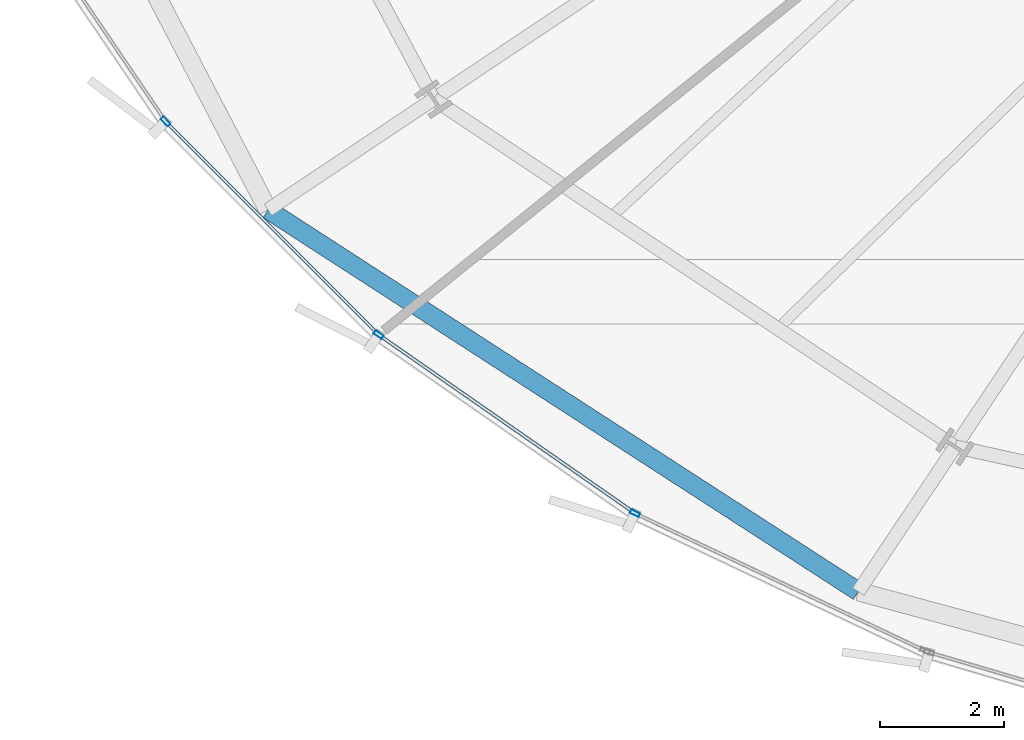
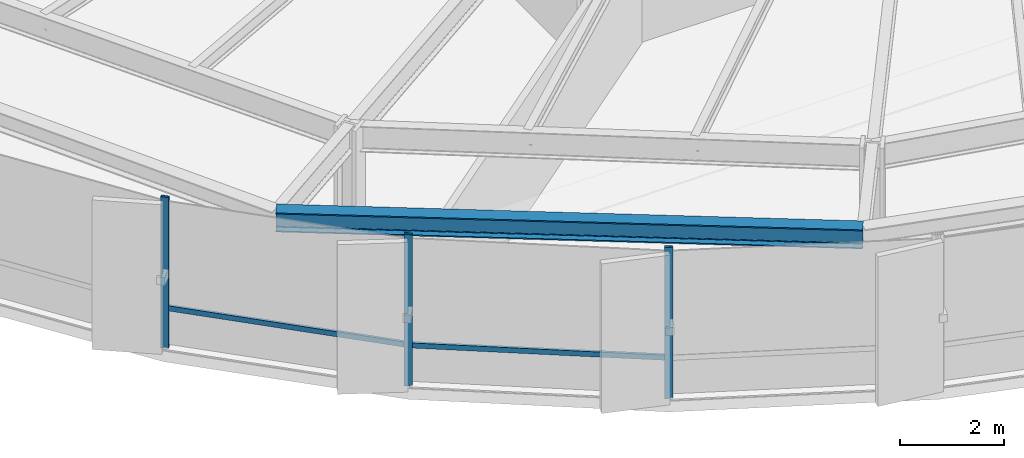
# One storey, part 2 of 37: 5 members, 1 beam, 1 element without a shape of its own.
"""IFC4 building model written with IfcOpenShell, lengths in metres."""

import ifcopenshell
import ifcopenshell.guid

model = None  # the IFC model being written
_history = None  # IfcOwnerHistory: only IFC2X3 demands one
_inside = {}  # id of a spatial element -> (the spatial element, [elements in it])
_under = {}  # id of a project, library or spatial element -> (it, [spatial elements below it])
_declared = {}  # id of a project -> (the project, [libraries it declares])
_typed = {}  # id of a type object -> (the type object, [elements of that type])
_made_of = {}  # id of a material, layer set ... -> (it, [elements and type objects made of it])


def new_model(schema):
    """Start an empty IFC model of exactly this schema.

    Asked for "IFC4X3", IfcOpenShell would pick the latest addendum, in which some entities
    have other attributes; the version numbers below select the first issue.
    IFC2X3 requires an IfcOwnerHistory on every rooted entity: one is made here for all.
    """
    global model, _history
    if schema == "IFC4X3":
        model = ifcopenshell.file(schema_version=(4, 3, 0, 0))
    else:
        model = ifcopenshell.file(schema=schema)
    _inside.clear()
    _under.clear()
    _declared.clear()
    _typed.clear()
    _made_of.clear()
    _history = None
    if model.schema == "IFC2X3":
        org = make("IfcOrganization", Name="unknown")
        user = make(
            "IfcPersonAndOrganization",
            ThePerson=make("IfcPerson", FamilyName="unknown"),
            TheOrganization=org,
        )
        app = make(
            "IfcApplication",
            ApplicationDeveloper=org,
            Version="unknown",
            ApplicationFullName="unknown",
            ApplicationIdentifier="unknown",
        )
        _history = make(
            "IfcOwnerHistory",
            OwningUser=user,
            OwningApplication=app,
            ChangeAction="ADDED",
            CreationDate=0,
        )
    return model


def make(cls, **values):
    """One entity of the class cls with the attributes given. An attribute that is None is left unset."""
    return model.create_entity(
        cls, **{name: value for name, value in values.items() if value is not None}
    )


def rooted(cls, **values):
    """An entity with a GlobalId (a new one), such as an element, a storey or a relation."""
    return make(cls, GlobalId=ifcopenshell.guid.new(), OwnerHistory=_history, **values)


def si_unit(unit_type, name, prefix=None):
    """IfcSIUnit, for example si_unit("LENGTHUNIT", "METRE", prefix="MILLI")."""
    return make("IfcSIUnit", UnitType=unit_type, Prefix=prefix, Name=name)


def assignment(units):
    """IfcUnitAssignment: the units of a project."""
    return None if units is None else make("IfcUnitAssignment", Units=units)


def point(xyz):
    """IfcCartesianPoint."""
    return None if xyz is None else make("IfcCartesianPoint", Coordinates=xyz)


def direction(xyz):
    """IfcDirection."""
    return None if xyz is None else make("IfcDirection", DirectionRatios=xyz)


def frame(location, z_axis=None, x_axis=None):
    """IfcAxis2Placement3D, a coordinate frame: its origin and axes. An axis left out is left unset."""
    return make(
        "IfcAxis2Placement3D",
        Location=point(location),
        Axis=direction(z_axis),
        RefDirection=direction(x_axis),
    )


def frame_2d(location, x_axis=None):
    """IfcAxis2Placement2D, a coordinate frame in the plane: its origin and x axis."""
    return make(
        "IfcAxis2Placement2D", Location=point(location), RefDirection=direction(x_axis)
    )


def origin():
    """The frame at (0, 0, 0) with its axes left unset."""
    return frame((0.0, 0.0, 0.0))


def origin_2d():
    """The frame at (0, 0) in the plane with its x axis left unset."""
    return frame_2d((0.0, 0.0))


def place(relative_to, where):
    """IfcLocalPlacement: puts the frame where relative to a parent placement (None: the world)."""
    return make(
        "IfcLocalPlacement", PlacementRelTo=relative_to, RelativePlacement=where
    )


def context(
    kind, dimensions, precision=None, world=None, true_north=None, identifier=None
):
    """IfcGeometricRepresentationContext, for example the 3D "Model" context."""
    return make(
        "IfcGeometricRepresentationContext",
        ContextIdentifier=identifier,
        ContextType=kind,
        CoordinateSpaceDimension=dimensions,
        Precision=precision,
        WorldCoordinateSystem=world,
        TrueNorth=true_north,
    )


def subcontext(parent, identifier, kind, view, scale=None):
    """IfcGeometricRepresentationSubContext, for example "Body" below "Model"."""
    return make(
        "IfcGeometricRepresentationSubContext",
        ContextIdentifier=identifier,
        ContextType=kind,
        ParentContext=parent,
        TargetScale=scale,
        TargetView=view,
    )


def project(units=None, contexts=None):
    """IfcProject with its units and contexts."""
    return rooted(
        "IfcProject",
        Name="project",
        RepresentationContexts=contexts,
        UnitsInContext=assignment(units),
    )


def spatial(cls, under=None, at=None, **own):
    """A site, building, storey or space (cls), placed at a placement, below another one or the project."""
    s = rooted(cls, ObjectPlacement=at, **own)
    if under is not None:
        _under.setdefault(under.id(), (under, []))[1].append(s)
    return s


def profile(cls, at=None, kind="AREA", **sizes):
    """A parametric profile (cls). Its sizes go by their IFC names, for example OverallWidth=200.0."""
    return make(cls, ProfileType=kind, Position=at, **sizes)


def hollow_rectangle(**sizes):
    """IfcRectangleHollowProfileDef."""
    return profile("IfcRectangleHollowProfileDef", **sizes)


def i_section(**sizes):
    """IfcIShapeProfileDef."""
    return profile("IfcIShapeProfileDef", **sizes)


def extrude(swept, where, along, depth):
    """IfcExtrudedAreaSolid: the profile swept, set in the frame where, extruded along a direction by depth."""
    return make(
        "IfcExtrudedAreaSolid",
        SweptArea=swept,
        Position=where,
        ExtrudedDirection=direction(along),
        Depth=depth,
    )


def shape(context_of_items, identifier, shape_type, items):
    """IfcShapeRepresentation: the items that make up one representation, for example the "Body"."""
    return make(
        "IfcShapeRepresentation",
        ContextOfItems=context_of_items,
        RepresentationIdentifier=identifier,
        RepresentationType=shape_type,
        Items=items,
    )


def source(mapping_origin, context_of_items, identifier, shape_type, items):
    """IfcRepresentationMap: a shape defined once, which mapped items show again and again."""
    return make(
        "IfcRepresentationMap",
        MappingOrigin=mapping_origin,
        MappedRepresentation=shape(context_of_items, identifier, shape_type, items),
    )


def transform(
    local_origin,
    x_axis=None,
    y_axis=None,
    z_axis=None,
    scale=None,
    scale2=None,
    scale3=None,
    uniform=True,
):
    """IfcCartesianTransformationOperator3D, or its non-uniform kind. x_axis, y_axis, z_axis: its Axis1, 2, 3."""
    if uniform:
        return make(
            "IfcCartesianTransformationOperator3D",
            Axis1=direction(x_axis),
            Axis2=direction(y_axis),
            LocalOrigin=point(local_origin),
            Scale=scale,
            Axis3=direction(z_axis),
        )
    return make(
        "IfcCartesianTransformationOperator3DnonUniform",
        Axis1=direction(x_axis),
        Axis2=direction(y_axis),
        LocalOrigin=point(local_origin),
        Scale=scale,
        Axis3=direction(z_axis),
        Scale2=scale2,
        Scale3=scale3,
    )


def mapped(mapping_source, mapping_target):
    """IfcMappedItem: shows the shape of a source again, moved by a transform."""
    return make(
        "IfcMappedItem", MappingSource=mapping_source, MappingTarget=mapping_target
    )


def material(Name=None, Category=None):
    """IfcMaterial."""
    return make("IfcMaterial", Name=Name, Category=Category)


def layer(
    of_material, thickness, ventilated=None, Name=None, Category=None, Priority=None
):
    """IfcMaterialLayer: one layer of a wall or slab, of a material (None: an air gap)."""
    return make(
        "IfcMaterialLayer",
        Material=of_material,
        LayerThickness=thickness,
        IsVentilated=ventilated,
        Name=Name,
        Category=Category,
        Priority=Priority,
    )


def layer_set(layers, Name=None):
    """IfcMaterialLayerSet."""
    return make("IfcMaterialLayerSet", MaterialLayers=layers, LayerSetName=Name)


def material_profile(
    of_material, cross_section, Name=None, Category=None, Priority=None
):
    """IfcMaterialProfile: a cross section and its material."""
    return make(
        "IfcMaterialProfile",
        Name=Name,
        Material=of_material,
        Profile=cross_section,
        Priority=Priority,
        Category=Category,
    )


def profile_set(profiles, Name=None, composite=None):
    """IfcMaterialProfileSet."""
    return make(
        "IfcMaterialProfileSet",
        Name=Name,
        MaterialProfiles=profiles,
        CompositeProfile=composite,
    )


def made_of(thing, what):
    """Note that an element or type object is made of a material, layer set ...; save() writes the relation."""
    if what is not None:
        _made_of.setdefault(what.id(), (what, []))[1].append(thing)
    return thing


def type_object(cls, material=None, **own):
    """A type object (cls), such as IfcWallType, which elements share."""
    return made_of(rooted(cls, **own), material)


def element(
    cls,
    number,
    at=None,
    inside=None,
    cuts=None,
    type_object=None,
    material=None,
    context=None,
    identifier="Body",
    shape_type=None,
    held_by="IfcProductDefinitionShape",
    body=None,
    shapes=None,
    **own,
):
    """One element of the class cls, such as IfcWall. Its Tag is "e" and its number.

    at: its placement. inside: the storey or other place that contains it. cuts: it is an
    opening in that element (IfcRelVoidsElement). A single representation is given by context,
    identifier, shape_type and body (its items); several are given by shapes. held_by: the class
    of the entity that holds the representations. save() writes the other relations.
    """
    e = rooted(cls, Tag="e%d" % number, ObjectPlacement=at, **own)
    if body is not None:
        shapes = [shape(context, identifier, shape_type, body)]
    if shapes is not None:
        e.Representation = make(held_by, Representations=shapes)
    if inside is not None:
        _inside.setdefault(inside.id(), (inside, []))[1].append(e)
    if cuts is not None:
        rooted(
            "IfcRelVoidsElement", RelatingBuildingElement=cuts, RelatedOpeningElement=e
        )
    if type_object is not None:
        _typed.setdefault(type_object.id(), (type_object, []))[1].append(e)
    return made_of(e, material)


def aggregate(whole, parts):
    """IfcRelAggregates: a whole, such as a stair, and the parts it consists of."""
    return rooted("IfcRelAggregates", RelatingObject=whole, RelatedObjects=parts)


def save(model, path):
    """Write the relations noted so far, then the file.

    IfcRelAggregates (storeys below a building ...), IfcRelContainedInSpatialStructure (elements
    in a storey), IfcRelDefinesByType, IfcRelAssociatesMaterial and IfcRelDeclares: one each for
    every whole, place, type object, material and project.
    """
    for whole, parts in _under.values():
        aggregate(whole, parts)
    for where, things in _inside.values():
        rooted(
            "IfcRelContainedInSpatialStructure",
            RelatedElements=things,
            RelatingStructure=where,
        )
    for kind, things in _typed.values():
        rooted("IfcRelDefinesByType", RelatedObjects=things, RelatingType=kind)
    for what, things in _made_of.values():
        rooted("IfcRelAssociatesMaterial", RelatedObjects=things, RelatingMaterial=what)
    for by, libraries in _declared.values():
        rooted("IfcRelDeclares", RelatingContext=by, RelatedDefinitions=libraries)
    model.write(path)


model = new_model("IFC4")

# Units and contexts
model_context = context("Model", 3, precision=1e-05, world=origin(), true_north=direction((0.0, 1.0)))
body_context = subcontext(model_context, "Body", "Model", "MODEL_VIEW")
ifc_project = project(units=[si_unit("LENGTHUNIT", "METRE"), si_unit("AREAUNIT", "SQUARE_METRE"), si_unit("VOLUMEUNIT", "CUBIC_METRE"), si_unit("PLANEANGLEUNIT", "RADIAN"), si_unit("MASSUNIT", "GRAM", prefix="KILO"), si_unit("THERMODYNAMICTEMPERATUREUNIT", "KELVIN")], contexts=[model_context])

# Site, building, storey
site_placement = place(None, origin())
site = spatial("IfcSite", under=ifc_project, at=site_placement, CompositionType="ELEMENT")
building_placement = place(site_placement, origin())
building = spatial("IfcBuilding", under=site, at=building_placement, Name="Kethvar Cultural Tower", CompositionType="ELEMENT")
storey_placement = place(building_placement, frame((0.0, 0.0, 48.60009765625)))
storey = spatial("IfcBuildingStorey", under=building, at=storey_placement, Name="L11", CompositionType="ELEMENT", Elevation=48.60009765625)

# Beam
ifc_material_1 = material(Name="Steel S355J2", Category="steel")
ifc_material_profile_1 = material_profile(ifc_material_1, i_section(OverallWidth=0.300048828125, OverallDepth=0.449951171875, WebThickness=0.013916015625, FlangeThickness=0.02587890625, FilletRadius=0.027099609375, at=origin_2d()), Name="Steel S355J2 — HEB450")
ifc_profile_set_1 = profile_set([ifc_material_profile_1], Name="Steel S355J2 — HEB450")
beam_type = type_object("IfcBeamType", Name="BM-SP450", PredefinedType="SPANDREL", material=ifc_profile_set_1)
shared_shape_1 = source(origin(), body_context, "Body", "SweptSolid", [
    extrude(i_section(OverallWidth=0.300048828125, OverallDepth=0.449951171875, WebThickness=0.013916015625, FlangeThickness=0.02587890625, FilletRadius=0.027099609375, at=origin_2d()), origin(), (0.0, 0.0, 1.0), 11.2939453125),
])
beam_placement = place(storey_placement, frame((22.263916015625, 11.405517578125, 3.322998046875), z_axis=(0.839776565068, -0.54293215116, 0.0), x_axis=(0.54293215116, 0.839776565068, 0.0)))
element("IfcBeam", 1, at=beam_placement, inside=storey, type_object=beam_type, Name="L11 Perimeter Spandrel Beam SP-10", PredefinedType="SPANDREL", context=body_context, shape_type="MappedRepresentation", body=[
    mapped(shared_shape_1, transform((0.0, 0.0, 0.0), scale=1.0)),
])

# Curtain wall, members
ifc_material_2 = material(Name="Aluminium 6063-T6", Category="aluminium")
ifc_layer = layer(ifc_material_2, 0.179931640625, Name="Aluminium 6063-T6", Category="aluminium")
ifc_layer_set = layer_set([ifc_layer], Name="Aluminium 6063-T6 (180 mm)")
curtain_wall_type = type_object("IfcCurtainWallType", Name="CW-SYS-02-Z1", PredefinedType="NOTDEFINED", material=ifc_layer_set)
curtain_wall_placement = place(storey_placement, origin())
curtain_wall = element("IfcCurtainWall", 2, at=curtain_wall_placement, inside=storey, type_object=curtain_wall_type, Name="L11 Curtain Wall Run 04", PredefinedType="NOTDEFINED")
ifc_material_profile_2 = material_profile(ifc_material_2, hollow_rectangle(XDim=0.06494140625, YDim=0.159912109375, WallThickness=0.0048828125, at=origin_2d()), Name="Aluminium 6063-T6 — RHS160x65x5")
ifc_profile_set_2 = profile_set([ifc_material_profile_2], Name="Aluminium 6063-T6 — RHS160x65x5")
member_type_1 = type_object("IfcMemberType", Name="CW-SYS-02-Z1-MUL", PredefinedType="MULLION", material=ifc_profile_set_2)
shared_shape_2 = source(origin(), body_context, "Body", "SweptSolid", [
    extrude(hollow_rectangle(XDim=0.06494140625, YDim=0.159912109375, WallThickness=0.0048828125, at=origin_2d()), origin(), (0.0, 0.0, 1.0), 3.5498046875),
])
member_1_placement = place(storey_placement, frame((20.61767578125, 12.824462890625, 0.0), z_axis=(0.0, 0.0, 1.0), x_axis=(0.707082098073, 0.707131463439, 0.0)))
member_1 = element("IfcMember", 3, at=member_1_placement, type_object=member_type_1, Name="CW-L11-R04 Mullion 4", PredefinedType="MULLION", context=body_context, shape_type="MappedRepresentation", body=[
    mapped(shared_shape_2, transform((0.0, 0.0, 0.0), scale=1.0)),
])
member_2_placement = place(storey_placement, frame((24.04150390625, 9.398193359375, 0.0), z_axis=(0.0, 0.0, 1.0), x_axis=(0.57134399666, 0.820710690488, 0.0)))
member_2 = element("IfcMember", 4, at=member_2_placement, type_object=member_type_1, Name="CW-L11-R04 Mullion 5", PredefinedType="MULLION", context=body_context, shape_type="MappedRepresentation", body=[
    mapped(shared_shape_2, transform((0.0, 0.0, 0.0), scale=1.0)),
])
member_3_placement = place(storey_placement, frame((28.157958984375, 6.530517578125, 0.0), z_axis=(0.0, 0.0, 1.0), x_axis=(0.428241295287, 0.903664425, 0.0)))
member_3 = element("IfcMember", 5, at=member_3_placement, type_object=member_type_1, Name="CW-L11-R04 Mullion 6", PredefinedType="MULLION", context=body_context, shape_type="MappedRepresentation", body=[
    mapped(shared_shape_2, transform((0.0, 0.0, 0.0), scale=1.0)),
])
ifc_material_profile_3 = material_profile(ifc_material_2, hollow_rectangle(XDim=0.054931640625, YDim=0.1201171875, WallThickness=0.00390625, at=origin_2d()), Name="Aluminium 6063-T6 — RHS120x55x4")
ifc_profile_set_3 = profile_set([ifc_material_profile_3], Name="Aluminium 6063-T6 — RHS120x55x4")
member_type_2 = type_object("IfcMemberType", Name="CW-SYS-02-Z1-TRN", PredefinedType="USERDEFINED", material=ifc_profile_set_3)
shared_shape_3 = source(origin(), body_context, "Body", "SweptSolid", [
    extrude(hollow_rectangle(XDim=0.054931640625, YDim=0.1201171875, WallThickness=0.00390625, at=origin_2d()), origin(), (0.0, 0.0, 1.0), 4.94287109375),
])
member_4_placement = place(storey_placement, frame((24.080078125, 9.37158203125, 0.949951171875), z_axis=(0.820695750126, -0.571365457238, 0.0), x_axis=(0.571365457238, 0.820695750126, 0.0)))
member_4 = element("IfcMember", 6, at=member_4_placement, type_object=member_type_2, Name="CW-L11-R04 Transom 5", ObjectType="TRANSOM", PredefinedType="USERDEFINED", context=body_context, shape_type="MappedRepresentation", body=[
    mapped(shared_shape_3, transform((0.0, 0.0, 0.0), scale=1.0)),
])
shared_shape_4 = source(origin(), body_context, "Body", "SweptSolid", [
    extrude(hollow_rectangle(XDim=0.054931640625, YDim=0.1201171875, WallThickness=0.00390625, at=origin_2d()), origin(), (0.0, 0.0, 1.0), 4.771484375),
])
member_5_placement = place(storey_placement, frame((20.65087890625, 12.79150390625, 0.949951171875), z_axis=(0.707132364384, -0.707081197064, 0.0), x_axis=(0.707081197064, 0.707132364384, 0.0)))
member_5 = element("IfcMember", 7, at=member_5_placement, type_object=member_type_2, Name="CW-L11-R04 Transom 4", ObjectType="TRANSOM", PredefinedType="USERDEFINED", context=body_context, shape_type="MappedRepresentation", body=[
    mapped(shared_shape_4, transform((0.0, 0.0, 0.0), scale=1.0)),
])
aggregate(curtain_wall, [member_1, member_2, member_3, member_5, member_4])

save(model, "model.ifc")
